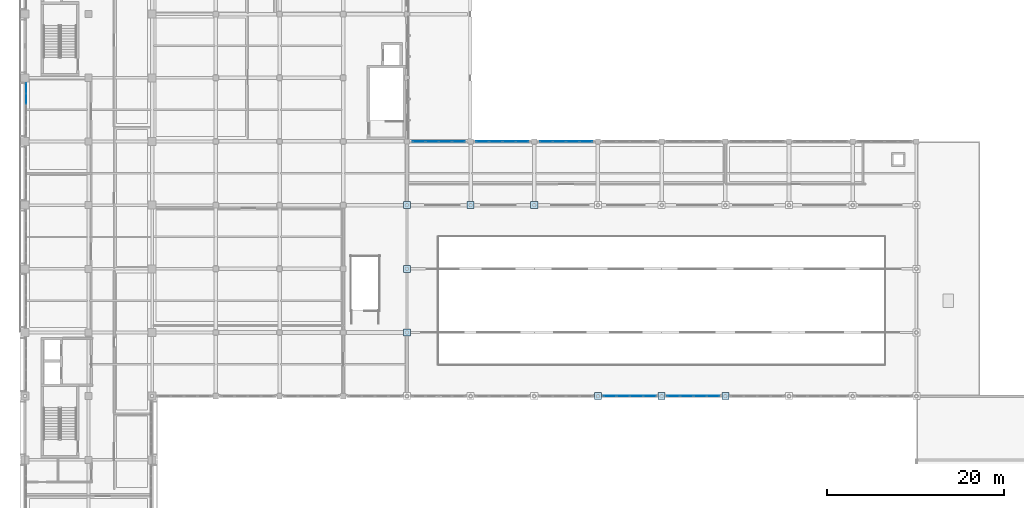
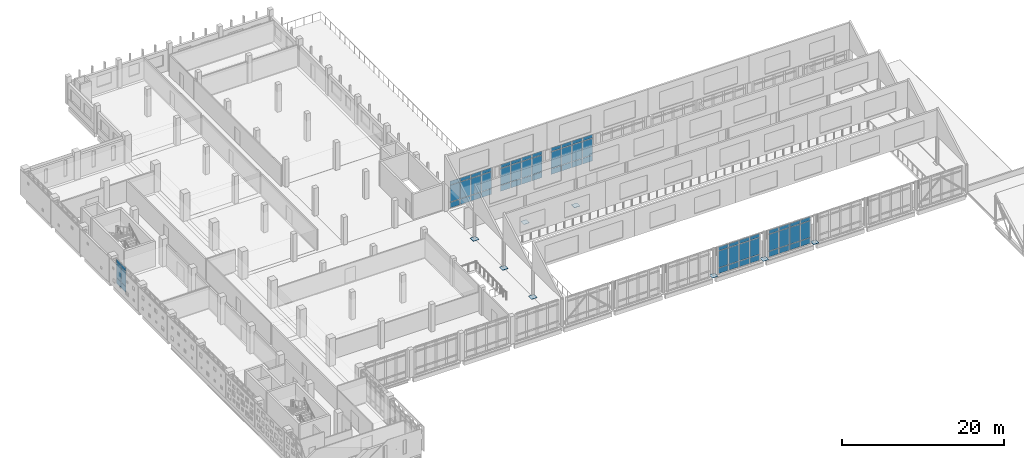
# One storey, part 31 of 62: 74 plates, 6 elements without a shape of their own.
"""IFC4 building model written with IfcOpenShell, lengths in metres."""

from ifc_helpers import new_model, si_unit, direction, frame, origin, origin_2d, place, context, subcontext, project, spatial, rectangle, extrude, material, layer, layer_set, type_object, element, aggregate, save


model = new_model("IFC4")

# Units and contexts
model_context = context("Model", 3, precision=1e-05, world=origin(), true_north=direction((0.0, 1.0)))
body_context = subcontext(model_context, "Body", "Model", "MODEL_VIEW")
ifc_project = project(units=[si_unit("LENGTHUNIT", "METRE"), si_unit("AREAUNIT", "SQUARE_METRE"), si_unit("VOLUMEUNIT", "CUBIC_METRE"), si_unit("PLANEANGLEUNIT", "RADIAN"), si_unit("MASSUNIT", "GRAM", prefix="KILO")], contexts=[model_context])

# Site, building, storey
site_placement = place(None, origin())
site = spatial("IfcSite", under=ifc_project, at=site_placement, CompositionType="ELEMENT")
building_placement = place(site_placement, origin())
building = spatial("IfcBuilding", under=site, at=building_placement, Name="Valkovuoma Quantum and Materials Research Institute", CompositionType="ELEMENT")
storey_placement = place(building_placement, frame((0.0, 0.0, 13.1201171875)))
storey = spatial("IfcBuildingStorey", under=building, at=storey_placement, Name="L03", CompositionType="ELEMENT", Elevation=13.1201171875)

# Curtain wall, plates
ifc_material_1 = material(Name="Thermally broken aluminium and triple low-E glazing", Category="aluminium")
ifc_layer_1 = layer(ifc_material_1, 0.219970703125)
ifc_layer_set_1 = layer_set([ifc_layer_1], Name="Thermally broken aluminium and triple low-E glazing")
curtain_wall_type_1 = type_object("IfcCurtainWallType", Name="CW-CW-01", PredefinedType="NOTDEFINED", material=ifc_layer_set_1)
curtain_wall_1_placement = place(storey_placement, origin())
curtain_wall_1 = element("IfcCurtainWall", 1, at=curtain_wall_1_placement, inside=storey, type_object=curtain_wall_type_1, Name="L03 curtain wall 035", PredefinedType="NOTDEFINED")
ifc_material_2 = material(Name="Triple low-E argon insulating glass", Category="glass")
ifc_layer_2 = layer(ifc_material_2, 0.035888671875)
ifc_layer_set_2 = layer_set([ifc_layer_2], Name="Triple low-E argon insulating glass")
plate_type_1 = type_object("IfcPlateType", Name="CWPanel-CWP-01", PredefinedType="CURTAIN_PANEL", material=ifc_layer_set_2)
plate_1_placement = place(storey_placement, frame((0.14990234375, 69.6171875, 0.06494140625), z_axis=(0.0, 0.0, 1.0), x_axis=(0.0, 1.0, 0.0)))
plate_1 = element("IfcPlate", 2, at=plate_1_placement, type_object=plate_type_1, Name="CW-01 panel 4.1", PredefinedType="CURTAIN_PANEL", context=body_context, shape_type="SweptSolid", body=[
    extrude(rectangle(XDim=1.152099609375, YDim=0.035888671875, at=origin_2d()), origin(), (0.0, 0.0, 1.0), 0.8525390625),
])
plate_2_placement = place(storey_placement, frame((0.14990234375, 69.6171875, 0.982421875), z_axis=(0.0, 0.0, 1.0), x_axis=(0.0, 1.0, 0.0)))
plate_2 = element("IfcPlate", 3, at=plate_2_placement, type_object=plate_type_1, Name="CW-01 panel 4.2", PredefinedType="CURTAIN_PANEL", context=body_context, shape_type="SweptSolid", body=[
    extrude(rectangle(XDim=1.152099609375, YDim=0.035888671875, at=origin_2d()), origin(), (0.0, 0.0, 1.0), 2.14501953125),
])
plate_3_placement = place(storey_placement, frame((0.14990234375, 69.6171875, 3.1923828125), z_axis=(0.0, 0.0, 1.0), x_axis=(0.0, 1.0, 0.0)))
plate_3 = element("IfcPlate", 4, at=plate_3_placement, type_object=plate_type_1, Name="CW-01 panel 4.3", PredefinedType="CURTAIN_PANEL", context=body_context, shape_type="SweptSolid", body=[
    extrude(rectangle(XDim=1.152099609375, YDim=0.035888671875, at=origin_2d()), origin(), (0.0, 0.0, 1.0), 0.552490234375),
])
plate_4_placement = place(storey_placement, frame((0.14990234375, 70.818115234375, 0.06494140625), z_axis=(0.0, 0.0, 1.0), x_axis=(0.0, 1.0, 0.0)))
plate_4 = element("IfcPlate", 5, at=plate_4_placement, type_object=plate_type_1, Name="CW-01 panel 5.1", PredefinedType="CURTAIN_PANEL", context=body_context, shape_type="SweptSolid", body=[
    extrude(rectangle(XDim=1.11962890625, YDim=0.035888671875, at=origin_2d()), origin(), (0.0, 0.0, 1.0), 0.8525390625),
])
plate_5_placement = place(storey_placement, frame((0.14990234375, 70.818115234375, 0.982421875), z_axis=(0.0, 0.0, 1.0), x_axis=(0.0, 1.0, 0.0)))
plate_5 = element("IfcPlate", 6, at=plate_5_placement, type_object=plate_type_1, Name="CW-01 panel 5.2", PredefinedType="CURTAIN_PANEL", context=body_context, shape_type="SweptSolid", body=[
    extrude(rectangle(XDim=1.11962890625, YDim=0.035888671875, at=origin_2d()), origin(), (0.0, 0.0, 1.0), 2.14501953125),
])
plate_6_placement = place(storey_placement, frame((0.14990234375, 70.818115234375, 3.1923828125), z_axis=(0.0, 0.0, 1.0), x_axis=(0.0, 1.0, 0.0)))
plate_6 = element("IfcPlate", 7, at=plate_6_placement, type_object=plate_type_1, Name="CW-01 panel 5.3", PredefinedType="CURTAIN_PANEL", context=body_context, shape_type="SweptSolid", body=[
    extrude(rectangle(XDim=1.11962890625, YDim=0.035888671875, at=origin_2d()), origin(), (0.0, 0.0, 1.0), 0.552490234375),
])
aggregate(curtain_wall_1, [plate_1, plate_2, plate_3, plate_4, plate_5, plate_6])

ifc_material_3 = material(Name="Thermally broken aluminium and triple low-E glazing", Category="aluminium")
ifc_layer_3 = layer(ifc_material_3, 0.219970703125)
ifc_layer_set_3 = layer_set([ifc_layer_3], Name="Thermally broken aluminium and triple low-E glazing")
curtain_wall_type_2 = type_object("IfcCurtainWallType", Name="CW-CW-02", PredefinedType="NOTDEFINED", material=ifc_layer_set_3)
curtain_wall_2_placement = place(storey_placement, origin())
curtain_wall_2 = element("IfcCurtainWall", 8, at=curtain_wall_2_placement, inside=storey, type_object=curtain_wall_type_2, Name="L03 curtain wall 211", PredefinedType="NOTDEFINED")
ifc_material_4 = material(Name="Triple low-E argon insulating glass", Category="glass")
ifc_layer_4 = layer(ifc_material_4, 0.0419921875)
ifc_layer_set_4 = layer_set([ifc_layer_4], Name="Triple low-E argon insulating glass")
plate_type_2 = type_object("IfcPlateType", Name="CWPanel-CWP-02", PredefinedType="CURTAIN_PANEL", material=ifc_layer_set_4)
plate_7_placement = place(storey_placement, frame((44.554931640625, 64.800048828125, 0.074951171875), z_axis=(0.0, 0.0, 1.0), x_axis=(1.0, 0.0, 0.0)))
plate_7 = element("IfcPlate", 9, at=plate_7_placement, type_object=plate_type_2, Name="CW-02 panel 1.1", PredefinedType="CURTAIN_PANEL", context=body_context, shape_type="SweptSolid", body=[
    extrude(rectangle(XDim=1.389892578125, YDim=0.0419921875, at=origin_2d()), origin(), (0.0, 0.0, 1.0), 0.83740234375),
])
plate_8_placement = place(storey_placement, frame((44.554931640625, 64.800048828125, 0.9873046875), z_axis=(0.0, 0.0, 1.0), x_axis=(1.0, 0.0, 0.0)))
plate_8 = element("IfcPlate", 10, at=plate_8_placement, type_object=plate_type_2, Name="CW-02 panel 1.2", PredefinedType="CURTAIN_PANEL", context=body_context, shape_type="SweptSolid", body=[
    extrude(rectangle(XDim=1.389892578125, YDim=0.0419921875, at=origin_2d()), origin(), (0.0, 0.0, 1.0), 2.485107421875),
])
plate_9_placement = place(storey_placement, frame((44.554931640625, 64.800048828125, 3.54736328125), z_axis=(0.0, 0.0, 1.0), x_axis=(1.0, 0.0, 0.0)))
plate_9 = element("IfcPlate", 11, at=plate_9_placement, type_object=plate_type_2, Name="CW-02 panel 1.3", PredefinedType="CURTAIN_PANEL", context=body_context, shape_type="SweptSolid", body=[
    extrude(rectangle(XDim=1.389892578125, YDim=0.0419921875, at=origin_2d()), origin(), (0.0, 0.0, 1.0), 0.53759765625),
])
plate_10_placement = place(storey_placement, frame((46.044921875, 64.800048828125, 0.074951171875), z_axis=(0.0, 0.0, 1.0), x_axis=(1.0, 0.0, 0.0)))
plate_10 = element("IfcPlate", 12, at=plate_10_placement, type_object=plate_type_2, Name="CW-02 panel 2.1", PredefinedType="CURTAIN_PANEL", context=body_context, shape_type="SweptSolid", body=[
    extrude(rectangle(XDim=1.429931640625, YDim=0.0419921875, at=origin_2d()), origin(), (0.0, 0.0, 1.0), 0.83740234375),
])
plate_11_placement = place(storey_placement, frame((46.044921875, 64.800048828125, 0.9873046875), z_axis=(0.0, 0.0, 1.0), x_axis=(1.0, 0.0, 0.0)))
plate_11 = element("IfcPlate", 13, at=plate_11_placement, type_object=plate_type_2, Name="CW-02 panel 2.2", PredefinedType="CURTAIN_PANEL", context=body_context, shape_type="SweptSolid", body=[
    extrude(rectangle(XDim=1.429931640625, YDim=0.0419921875, at=origin_2d()), origin(), (0.0, 0.0, 1.0), 2.485107421875),
])
plate_12_placement = place(storey_placement, frame((46.044921875, 64.800048828125, 3.54736328125), z_axis=(0.0, 0.0, 1.0), x_axis=(1.0, 0.0, 0.0)))
plate_12 = element("IfcPlate", 14, at=plate_12_placement, type_object=plate_type_2, Name="CW-02 panel 2.3", PredefinedType="CURTAIN_PANEL", context=body_context, shape_type="SweptSolid", body=[
    extrude(rectangle(XDim=1.429931640625, YDim=0.0419921875, at=origin_2d()), origin(), (0.0, 0.0, 1.0), 0.53759765625),
])
plate_13_placement = place(storey_placement, frame((47.554931640625, 64.800048828125, 0.074951171875), z_axis=(0.0, 0.0, 1.0), x_axis=(1.0, 0.0, 0.0)))
plate_13 = element("IfcPlate", 15, at=plate_13_placement, type_object=plate_type_2, Name="CW-02 panel 3.1", PredefinedType="CURTAIN_PANEL", context=body_context, shape_type="SweptSolid", body=[
    extrude(rectangle(XDim=1.429931640625, YDim=0.0419921875, at=origin_2d()), origin(), (0.0, 0.0, 1.0), 0.83740234375),
])
plate_14_placement = place(storey_placement, frame((47.554931640625, 64.800048828125, 0.9873046875), z_axis=(0.0, 0.0, 1.0), x_axis=(1.0, 0.0, 0.0)))
plate_14 = element("IfcPlate", 16, at=plate_14_placement, type_object=plate_type_2, Name="CW-02 panel 3.2", PredefinedType="CURTAIN_PANEL", context=body_context, shape_type="SweptSolid", body=[
    extrude(rectangle(XDim=1.429931640625, YDim=0.0419921875, at=origin_2d()), origin(), (0.0, 0.0, 1.0), 2.485107421875),
])
plate_15_placement = place(storey_placement, frame((47.554931640625, 64.800048828125, 3.54736328125), z_axis=(0.0, 0.0, 1.0), x_axis=(1.0, 0.0, 0.0)))
plate_15 = element("IfcPlate", 17, at=plate_15_placement, type_object=plate_type_2, Name="CW-02 panel 3.3", PredefinedType="CURTAIN_PANEL", context=body_context, shape_type="SweptSolid", body=[
    extrude(rectangle(XDim=1.429931640625, YDim=0.0419921875, at=origin_2d()), origin(), (0.0, 0.0, 1.0), 0.53759765625),
])
plate_16_placement = place(storey_placement, frame((49.044921875, 64.800048828125, 0.074951171875), z_axis=(0.0, 0.0, 1.0), x_axis=(1.0, 0.0, 0.0)))
plate_16 = element("IfcPlate", 18, at=plate_16_placement, type_object=plate_type_2, Name="CW-02 panel 4.1", PredefinedType="CURTAIN_PANEL", context=body_context, shape_type="SweptSolid", body=[
    extrude(rectangle(XDim=1.389892578125, YDim=0.0419921875, at=origin_2d()), origin(), (0.0, 0.0, 1.0), 0.83740234375),
])
plate_17_placement = place(storey_placement, frame((49.044921875, 64.800048828125, 0.9873046875), z_axis=(0.0, 0.0, 1.0), x_axis=(1.0, 0.0, 0.0)))
plate_17 = element("IfcPlate", 19, at=plate_17_placement, type_object=plate_type_2, Name="CW-02 panel 4.2", PredefinedType="CURTAIN_PANEL", context=body_context, shape_type="SweptSolid", body=[
    extrude(rectangle(XDim=1.389892578125, YDim=0.0419921875, at=origin_2d()), origin(), (0.0, 0.0, 1.0), 2.485107421875),
])
plate_18_placement = place(storey_placement, frame((49.044921875, 64.800048828125, 3.54736328125), z_axis=(0.0, 0.0, 1.0), x_axis=(1.0, 0.0, 0.0)))
plate_18 = element("IfcPlate", 20, at=plate_18_placement, type_object=plate_type_2, Name="CW-02 panel 4.3", PredefinedType="CURTAIN_PANEL", context=body_context, shape_type="SweptSolid", body=[
    extrude(rectangle(XDim=1.389892578125, YDim=0.0419921875, at=origin_2d()), origin(), (0.0, 0.0, 1.0), 0.53759765625),
])
aggregate(curtain_wall_2, [plate_7, plate_8, plate_9, plate_10, plate_11, plate_12, plate_13, plate_14, plate_15, plate_16, plate_17, plate_18])

curtain_wall_3_placement = place(storey_placement, origin())
curtain_wall_3 = element("IfcCurtainWall", 21, at=curtain_wall_3_placement, inside=storey, type_object=curtain_wall_type_2, Name="L03 curtain wall 212", PredefinedType="NOTDEFINED")
plate_19_placement = place(storey_placement, frame((51.7548828125, 64.800048828125, 0.074951171875), z_axis=(0.0, 0.0, 1.0), x_axis=(1.0, 0.0, 0.0)))
plate_19 = element("IfcPlate", 22, at=plate_19_placement, type_object=plate_type_2, Name="CW-02 panel 1.1", PredefinedType="CURTAIN_PANEL", context=body_context, shape_type="SweptSolid", body=[
    extrude(rectangle(XDim=1.389892578125, YDim=0.0419921875, at=origin_2d()), origin(), (0.0, 0.0, 1.0), 0.83740234375),
])
plate_20_placement = place(storey_placement, frame((51.7548828125, 64.800048828125, 0.9873046875), z_axis=(0.0, 0.0, 1.0), x_axis=(1.0, 0.0, 0.0)))
plate_20 = element("IfcPlate", 23, at=plate_20_placement, type_object=plate_type_2, Name="CW-02 panel 1.2", PredefinedType="CURTAIN_PANEL", context=body_context, shape_type="SweptSolid", body=[
    extrude(rectangle(XDim=1.389892578125, YDim=0.0419921875, at=origin_2d()), origin(), (0.0, 0.0, 1.0), 2.485107421875),
])
plate_21_placement = place(storey_placement, frame((51.7548828125, 64.800048828125, 3.54736328125), z_axis=(0.0, 0.0, 1.0), x_axis=(1.0, 0.0, 0.0)))
plate_21 = element("IfcPlate", 24, at=plate_21_placement, type_object=plate_type_2, Name="CW-02 panel 1.3", PredefinedType="CURTAIN_PANEL", context=body_context, shape_type="SweptSolid", body=[
    extrude(rectangle(XDim=1.389892578125, YDim=0.0419921875, at=origin_2d()), origin(), (0.0, 0.0, 1.0), 0.53759765625),
])
plate_22_placement = place(storey_placement, frame((53.2451171875, 64.800048828125, 0.074951171875), z_axis=(0.0, 0.0, 1.0), x_axis=(1.0, 0.0, 0.0)))
plate_22 = element("IfcPlate", 25, at=plate_22_placement, type_object=plate_type_2, Name="CW-02 panel 2.1", PredefinedType="CURTAIN_PANEL", context=body_context, shape_type="SweptSolid", body=[
    extrude(rectangle(XDim=1.429931640625, YDim=0.0419921875, at=origin_2d()), origin(), (0.0, 0.0, 1.0), 0.83740234375),
])
plate_23_placement = place(storey_placement, frame((53.2451171875, 64.800048828125, 0.9873046875), z_axis=(0.0, 0.0, 1.0), x_axis=(1.0, 0.0, 0.0)))
plate_23 = element("IfcPlate", 26, at=plate_23_placement, type_object=plate_type_2, Name="CW-02 panel 2.2", PredefinedType="CURTAIN_PANEL", context=body_context, shape_type="SweptSolid", body=[
    extrude(rectangle(XDim=1.429931640625, YDim=0.0419921875, at=origin_2d()), origin(), (0.0, 0.0, 1.0), 2.485107421875),
])
plate_24_placement = place(storey_placement, frame((53.2451171875, 64.800048828125, 3.54736328125), z_axis=(0.0, 0.0, 1.0), x_axis=(1.0, 0.0, 0.0)))
plate_24 = element("IfcPlate", 27, at=plate_24_placement, type_object=plate_type_2, Name="CW-02 panel 2.3", PredefinedType="CURTAIN_PANEL", context=body_context, shape_type="SweptSolid", body=[
    extrude(rectangle(XDim=1.429931640625, YDim=0.0419921875, at=origin_2d()), origin(), (0.0, 0.0, 1.0), 0.53759765625),
])
plate_25_placement = place(storey_placement, frame((54.7548828125, 64.800048828125, 0.074951171875), z_axis=(0.0, 0.0, 1.0), x_axis=(1.0, 0.0, 0.0)))
plate_25 = element("IfcPlate", 28, at=plate_25_placement, type_object=plate_type_2, Name="CW-02 panel 3.1", PredefinedType="CURTAIN_PANEL", context=body_context, shape_type="SweptSolid", body=[
    extrude(rectangle(XDim=1.429931640625, YDim=0.0419921875, at=origin_2d()), origin(), (0.0, 0.0, 1.0), 0.83740234375),
])
plate_26_placement = place(storey_placement, frame((54.7548828125, 64.800048828125, 0.9873046875), z_axis=(0.0, 0.0, 1.0), x_axis=(1.0, 0.0, 0.0)))
plate_26 = element("IfcPlate", 29, at=plate_26_placement, type_object=plate_type_2, Name="CW-02 panel 3.2", PredefinedType="CURTAIN_PANEL", context=body_context, shape_type="SweptSolid", body=[
    extrude(rectangle(XDim=1.429931640625, YDim=0.0419921875, at=origin_2d()), origin(), (0.0, 0.0, 1.0), 2.485107421875),
])
plate_27_placement = place(storey_placement, frame((54.7548828125, 64.800048828125, 3.54736328125), z_axis=(0.0, 0.0, 1.0), x_axis=(1.0, 0.0, 0.0)))
plate_27 = element("IfcPlate", 30, at=plate_27_placement, type_object=plate_type_2, Name="CW-02 panel 3.3", PredefinedType="CURTAIN_PANEL", context=body_context, shape_type="SweptSolid", body=[
    extrude(rectangle(XDim=1.429931640625, YDim=0.0419921875, at=origin_2d()), origin(), (0.0, 0.0, 1.0), 0.53759765625),
])
plate_28_placement = place(storey_placement, frame((56.2451171875, 64.800048828125, 0.074951171875), z_axis=(0.0, 0.0, 1.0), x_axis=(1.0, 0.0, 0.0)))
plate_28 = element("IfcPlate", 31, at=plate_28_placement, type_object=plate_type_2, Name="CW-02 panel 4.1", PredefinedType="CURTAIN_PANEL", context=body_context, shape_type="SweptSolid", body=[
    extrude(rectangle(XDim=1.389892578125, YDim=0.0419921875, at=origin_2d()), origin(), (0.0, 0.0, 1.0), 0.83740234375),
])
plate_29_placement = place(storey_placement, frame((56.2451171875, 64.800048828125, 0.9873046875), z_axis=(0.0, 0.0, 1.0), x_axis=(1.0, 0.0, 0.0)))
plate_29 = element("IfcPlate", 32, at=plate_29_placement, type_object=plate_type_2, Name="CW-02 panel 4.2", PredefinedType="CURTAIN_PANEL", context=body_context, shape_type="SweptSolid", body=[
    extrude(rectangle(XDim=1.389892578125, YDim=0.0419921875, at=origin_2d()), origin(), (0.0, 0.0, 1.0), 2.485107421875),
])
plate_30_placement = place(storey_placement, frame((56.2451171875, 64.800048828125, 3.54736328125), z_axis=(0.0, 0.0, 1.0), x_axis=(1.0, 0.0, 0.0)))
plate_30 = element("IfcPlate", 33, at=plate_30_placement, type_object=plate_type_2, Name="CW-02 panel 4.3", PredefinedType="CURTAIN_PANEL", context=body_context, shape_type="SweptSolid", body=[
    extrude(rectangle(XDim=1.389892578125, YDim=0.0419921875, at=origin_2d()), origin(), (0.0, 0.0, 1.0), 0.53759765625),
])
aggregate(curtain_wall_3, [plate_19, plate_20, plate_21, plate_22, plate_23, plate_24, plate_25, plate_26, plate_27, plate_28, plate_29, plate_30])

curtain_wall_4_placement = place(storey_placement, origin())
curtain_wall_4 = element("IfcCurtainWall", 34, at=curtain_wall_4_placement, inside=storey, type_object=curtain_wall_type_2, Name="L03 curtain wall 213", PredefinedType="NOTDEFINED")
plate_31_placement = place(storey_placement, frame((58.955078125, 64.800048828125, 0.074951171875), z_axis=(0.0, 0.0, 1.0), x_axis=(1.0, 0.0, 0.0)))
plate_31 = element("IfcPlate", 35, at=plate_31_placement, type_object=plate_type_2, Name="CW-02 panel 1.1", PredefinedType="CURTAIN_PANEL", context=body_context, shape_type="SweptSolid", body=[
    extrude(rectangle(XDim=1.389892578125, YDim=0.0419921875, at=origin_2d()), origin(), (0.0, 0.0, 1.0), 0.83740234375),
])
plate_32_placement = place(storey_placement, frame((58.955078125, 64.800048828125, 0.9873046875), z_axis=(0.0, 0.0, 1.0), x_axis=(1.0, 0.0, 0.0)))
plate_32 = element("IfcPlate", 36, at=plate_32_placement, type_object=plate_type_2, Name="CW-02 panel 1.2", PredefinedType="CURTAIN_PANEL", context=body_context, shape_type="SweptSolid", body=[
    extrude(rectangle(XDim=1.389892578125, YDim=0.0419921875, at=origin_2d()), origin(), (0.0, 0.0, 1.0), 2.485107421875),
])
plate_33_placement = place(storey_placement, frame((58.955078125, 64.800048828125, 3.54736328125), z_axis=(0.0, 0.0, 1.0), x_axis=(1.0, 0.0, 0.0)))
plate_33 = element("IfcPlate", 37, at=plate_33_placement, type_object=plate_type_2, Name="CW-02 panel 1.3", PredefinedType="CURTAIN_PANEL", context=body_context, shape_type="SweptSolid", body=[
    extrude(rectangle(XDim=1.389892578125, YDim=0.0419921875, at=origin_2d()), origin(), (0.0, 0.0, 1.0), 0.53759765625),
])
plate_34_placement = place(storey_placement, frame((60.445068359375, 64.800048828125, 0.074951171875), z_axis=(0.0, 0.0, 1.0), x_axis=(1.0, 0.0, 0.0)))
plate_34 = element("IfcPlate", 38, at=plate_34_placement, type_object=plate_type_2, Name="CW-02 panel 2.1", PredefinedType="CURTAIN_PANEL", context=body_context, shape_type="SweptSolid", body=[
    extrude(rectangle(XDim=1.429931640625, YDim=0.0419921875, at=origin_2d()), origin(), (0.0, 0.0, 1.0), 0.83740234375),
])
plate_35_placement = place(storey_placement, frame((60.445068359375, 64.800048828125, 0.9873046875), z_axis=(0.0, 0.0, 1.0), x_axis=(1.0, 0.0, 0.0)))
plate_35 = element("IfcPlate", 39, at=plate_35_placement, type_object=plate_type_2, Name="CW-02 panel 2.2", PredefinedType="CURTAIN_PANEL", context=body_context, shape_type="SweptSolid", body=[
    extrude(rectangle(XDim=1.429931640625, YDim=0.0419921875, at=origin_2d()), origin(), (0.0, 0.0, 1.0), 2.485107421875),
])
plate_36_placement = place(storey_placement, frame((60.445068359375, 64.800048828125, 3.54736328125), z_axis=(0.0, 0.0, 1.0), x_axis=(1.0, 0.0, 0.0)))
plate_36 = element("IfcPlate", 40, at=plate_36_placement, type_object=plate_type_2, Name="CW-02 panel 2.3", PredefinedType="CURTAIN_PANEL", context=body_context, shape_type="SweptSolid", body=[
    extrude(rectangle(XDim=1.429931640625, YDim=0.0419921875, at=origin_2d()), origin(), (0.0, 0.0, 1.0), 0.53759765625),
])
plate_37_placement = place(storey_placement, frame((61.955078125, 64.800048828125, 0.074951171875), z_axis=(0.0, 0.0, 1.0), x_axis=(1.0, 0.0, 0.0)))
plate_37 = element("IfcPlate", 41, at=plate_37_placement, type_object=plate_type_2, Name="CW-02 panel 3.1", PredefinedType="CURTAIN_PANEL", context=body_context, shape_type="SweptSolid", body=[
    extrude(rectangle(XDim=1.429931640625, YDim=0.0419921875, at=origin_2d()), origin(), (0.0, 0.0, 1.0), 0.83740234375),
])
plate_38_placement = place(storey_placement, frame((61.955078125, 64.800048828125, 0.9873046875), z_axis=(0.0, 0.0, 1.0), x_axis=(1.0, 0.0, 0.0)))
plate_38 = element("IfcPlate", 42, at=plate_38_placement, type_object=plate_type_2, Name="CW-02 panel 3.2", PredefinedType="CURTAIN_PANEL", context=body_context, shape_type="SweptSolid", body=[
    extrude(rectangle(XDim=1.429931640625, YDim=0.0419921875, at=origin_2d()), origin(), (0.0, 0.0, 1.0), 2.485107421875),
])
plate_39_placement = place(storey_placement, frame((61.955078125, 64.800048828125, 3.54736328125), z_axis=(0.0, 0.0, 1.0), x_axis=(1.0, 0.0, 0.0)))
plate_39 = element("IfcPlate", 43, at=plate_39_placement, type_object=plate_type_2, Name="CW-02 panel 3.3", PredefinedType="CURTAIN_PANEL", context=body_context, shape_type="SweptSolid", body=[
    extrude(rectangle(XDim=1.429931640625, YDim=0.0419921875, at=origin_2d()), origin(), (0.0, 0.0, 1.0), 0.53759765625),
])
plate_40_placement = place(storey_placement, frame((63.445068359375, 64.800048828125, 0.074951171875), z_axis=(0.0, 0.0, 1.0), x_axis=(1.0, 0.0, 0.0)))
plate_40 = element("IfcPlate", 44, at=plate_40_placement, type_object=plate_type_2, Name="CW-02 panel 4.1", PredefinedType="CURTAIN_PANEL", context=body_context, shape_type="SweptSolid", body=[
    extrude(rectangle(XDim=1.389892578125, YDim=0.0419921875, at=origin_2d()), origin(), (0.0, 0.0, 1.0), 0.83740234375),
])
plate_41_placement = place(storey_placement, frame((63.445068359375, 64.800048828125, 0.9873046875), z_axis=(0.0, 0.0, 1.0), x_axis=(1.0, 0.0, 0.0)))
plate_41 = element("IfcPlate", 45, at=plate_41_placement, type_object=plate_type_2, Name="CW-02 panel 4.2", PredefinedType="CURTAIN_PANEL", context=body_context, shape_type="SweptSolid", body=[
    extrude(rectangle(XDim=1.389892578125, YDim=0.0419921875, at=origin_2d()), origin(), (0.0, 0.0, 1.0), 2.485107421875),
])
plate_42_placement = place(storey_placement, frame((63.445068359375, 64.800048828125, 3.54736328125), z_axis=(0.0, 0.0, 1.0), x_axis=(1.0, 0.0, 0.0)))
plate_42 = element("IfcPlate", 46, at=plate_42_placement, type_object=plate_type_2, Name="CW-02 panel 4.3", PredefinedType="CURTAIN_PANEL", context=body_context, shape_type="SweptSolid", body=[
    extrude(rectangle(XDim=1.389892578125, YDim=0.0419921875, at=origin_2d()), origin(), (0.0, 0.0, 1.0), 0.53759765625),
])
aggregate(curtain_wall_4, [plate_31, plate_32, plate_33, plate_34, plate_35, plate_36, plate_37, plate_38, plate_39, plate_40, plate_41, plate_42])

curtain_wall_5_placement = place(storey_placement, origin())
curtain_wall_5 = element("IfcCurtainWall", 47, at=curtain_wall_5_placement, inside=storey, type_object=curtain_wall_type_2, Name="L03 curtain wall 206", PredefinedType="NOTDEFINED")
ifc_material_5 = material(Name="Triple low-E argon insulating glass", Category="glass")
ifc_layer_5 = layer(ifc_material_5, 0.048095703125)
ifc_layer_set_5 = layer_set([ifc_layer_5], Name="Triple low-E argon insulating glass")
plate_type_3 = type_object("IfcPlateType", Name="CWPanel-CWP-03", PredefinedType="CURTAIN_PANEL", material=ifc_layer_set_5)
plate_43_placement = place(storey_placement, frame((66.155029296875, 36.0, 0.074951171875), z_axis=(0.0, 0.0, 1.0), x_axis=(1.0, 0.0, 0.0)))
plate_43 = element("IfcPlate", 48, at=plate_43_placement, type_object=plate_type_3, Name="CW-02 panel 1.1", PredefinedType="CURTAIN_PANEL", context=body_context, shape_type="SweptSolid", body=[
    extrude(rectangle(XDim=1.389892578125, YDim=0.048095703125, at=origin_2d()), origin(), (0.0, 0.0, 1.0), 0.83740234375),
])
plate_44_placement = place(storey_placement, frame((66.155029296875, 36.0, 0.9873046875), z_axis=(0.0, 0.0, 1.0), x_axis=(1.0, 0.0, 0.0)))
plate_44 = element("IfcPlate", 49, at=plate_44_placement, type_object=plate_type_3, Name="CW-02 panel 1.2", PredefinedType="CURTAIN_PANEL", context=body_context, shape_type="SweptSolid", body=[
    extrude(rectangle(XDim=1.389892578125, YDim=0.048095703125, at=origin_2d()), origin(), (0.0, 0.0, 1.0), 2.485107421875),
])
plate_45_placement = place(storey_placement, frame((66.155029296875, 36.0, 3.54736328125), z_axis=(0.0, 0.0, 1.0), x_axis=(1.0, 0.0, 0.0)))
plate_45 = element("IfcPlate", 50, at=plate_45_placement, type_object=plate_type_3, Name="CW-02 panel 1.3", PredefinedType="CURTAIN_PANEL", context=body_context, shape_type="SweptSolid", body=[
    extrude(rectangle(XDim=1.389892578125, YDim=0.048095703125, at=origin_2d()), origin(), (0.0, 0.0, 1.0), 0.53759765625),
])
plate_46_placement = place(storey_placement, frame((67.64501953125, 36.0, 0.074951171875), z_axis=(0.0, 0.0, 1.0), x_axis=(1.0, 0.0, 0.0)))
plate_46 = element("IfcPlate", 51, at=plate_46_placement, type_object=plate_type_3, Name="CW-02 panel 2.1", PredefinedType="CURTAIN_PANEL", context=body_context, shape_type="SweptSolid", body=[
    extrude(rectangle(XDim=1.429931640625, YDim=0.048095703125, at=origin_2d()), origin(), (0.0, 0.0, 1.0), 0.83740234375),
])
plate_47_placement = place(storey_placement, frame((67.64501953125, 36.0, 0.9873046875), z_axis=(0.0, 0.0, 1.0), x_axis=(1.0, 0.0, 0.0)))
plate_47 = element("IfcPlate", 52, at=plate_47_placement, type_object=plate_type_3, Name="CW-02 panel 2.2", PredefinedType="CURTAIN_PANEL", context=body_context, shape_type="SweptSolid", body=[
    extrude(rectangle(XDim=1.429931640625, YDim=0.048095703125, at=origin_2d()), origin(), (0.0, 0.0, 1.0), 2.485107421875),
])
plate_48_placement = place(storey_placement, frame((67.64501953125, 36.0, 3.54736328125), z_axis=(0.0, 0.0, 1.0), x_axis=(1.0, 0.0, 0.0)))
plate_48 = element("IfcPlate", 53, at=plate_48_placement, type_object=plate_type_3, Name="CW-02 panel 2.3", PredefinedType="CURTAIN_PANEL", context=body_context, shape_type="SweptSolid", body=[
    extrude(rectangle(XDim=1.429931640625, YDim=0.048095703125, at=origin_2d()), origin(), (0.0, 0.0, 1.0), 0.53759765625),
])
plate_49_placement = place(storey_placement, frame((69.155029296875, 36.0, 0.074951171875), z_axis=(0.0, 0.0, 1.0), x_axis=(1.0, 0.0, 0.0)))
plate_49 = element("IfcPlate", 54, at=plate_49_placement, type_object=plate_type_3, Name="CW-02 panel 3.1", PredefinedType="CURTAIN_PANEL", context=body_context, shape_type="SweptSolid", body=[
    extrude(rectangle(XDim=1.429931640625, YDim=0.048095703125, at=origin_2d()), origin(), (0.0, 0.0, 1.0), 0.83740234375),
])
plate_50_placement = place(storey_placement, frame((69.155029296875, 36.0, 0.9873046875), z_axis=(0.0, 0.0, 1.0), x_axis=(1.0, 0.0, 0.0)))
plate_50 = element("IfcPlate", 55, at=plate_50_placement, type_object=plate_type_3, Name="CW-02 panel 3.2", PredefinedType="CURTAIN_PANEL", context=body_context, shape_type="SweptSolid", body=[
    extrude(rectangle(XDim=1.429931640625, YDim=0.048095703125, at=origin_2d()), origin(), (0.0, 0.0, 1.0), 2.485107421875),
])
plate_51_placement = place(storey_placement, frame((69.155029296875, 36.0, 3.54736328125), z_axis=(0.0, 0.0, 1.0), x_axis=(1.0, 0.0, 0.0)))
plate_51 = element("IfcPlate", 56, at=plate_51_placement, type_object=plate_type_3, Name="CW-02 panel 3.3", PredefinedType="CURTAIN_PANEL", context=body_context, shape_type="SweptSolid", body=[
    extrude(rectangle(XDim=1.429931640625, YDim=0.048095703125, at=origin_2d()), origin(), (0.0, 0.0, 1.0), 0.53759765625),
])
plate_52_placement = place(storey_placement, frame((70.64501953125, 36.0, 0.074951171875), z_axis=(0.0, 0.0, 1.0), x_axis=(1.0, 0.0, 0.0)))
plate_52 = element("IfcPlate", 57, at=plate_52_placement, type_object=plate_type_3, Name="CW-02 panel 4.1", PredefinedType="CURTAIN_PANEL", context=body_context, shape_type="SweptSolid", body=[
    extrude(rectangle(XDim=1.389892578125, YDim=0.048095703125, at=origin_2d()), origin(), (0.0, 0.0, 1.0), 0.83740234375),
])
plate_53_placement = place(storey_placement, frame((70.64501953125, 36.0, 0.9873046875), z_axis=(0.0, 0.0, 1.0), x_axis=(1.0, 0.0, 0.0)))
plate_53 = element("IfcPlate", 58, at=plate_53_placement, type_object=plate_type_3, Name="CW-02 panel 4.2", PredefinedType="CURTAIN_PANEL", context=body_context, shape_type="SweptSolid", body=[
    extrude(rectangle(XDim=1.389892578125, YDim=0.048095703125, at=origin_2d()), origin(), (0.0, 0.0, 1.0), 2.485107421875),
])
plate_54_placement = place(storey_placement, frame((70.64501953125, 36.0, 3.54736328125), z_axis=(0.0, 0.0, 1.0), x_axis=(1.0, 0.0, 0.0)))
plate_54 = element("IfcPlate", 59, at=plate_54_placement, type_object=plate_type_3, Name="CW-02 panel 4.3", PredefinedType="CURTAIN_PANEL", context=body_context, shape_type="SweptSolid", body=[
    extrude(rectangle(XDim=1.389892578125, YDim=0.048095703125, at=origin_2d()), origin(), (0.0, 0.0, 1.0), 0.53759765625),
])
aggregate(curtain_wall_5, [plate_43, plate_44, plate_45, plate_46, plate_47, plate_48, plate_49, plate_50, plate_51, plate_52, plate_53, plate_54])

curtain_wall_6_placement = place(storey_placement, origin())
curtain_wall_6 = element("IfcCurtainWall", 60, at=curtain_wall_6_placement, inside=storey, type_object=curtain_wall_type_2, Name="L03 curtain wall 207", PredefinedType="NOTDEFINED")
plate_55_placement = place(storey_placement, frame((73.35498046875, 36.0, 0.074951171875), z_axis=(0.0, 0.0, 1.0), x_axis=(1.0, 0.0, 0.0)))
plate_55 = element("IfcPlate", 61, at=plate_55_placement, type_object=plate_type_3, Name="CW-02 panel 1.1", PredefinedType="CURTAIN_PANEL", context=body_context, shape_type="SweptSolid", body=[
    extrude(rectangle(XDim=1.389892578125, YDim=0.048095703125, at=origin_2d()), origin(), (0.0, 0.0, 1.0), 0.83740234375),
])
plate_56_placement = place(storey_placement, frame((73.35498046875, 36.0, 0.9873046875), z_axis=(0.0, 0.0, 1.0), x_axis=(1.0, 0.0, 0.0)))
plate_56 = element("IfcPlate", 62, at=plate_56_placement, type_object=plate_type_3, Name="CW-02 panel 1.2", PredefinedType="CURTAIN_PANEL", context=body_context, shape_type="SweptSolid", body=[
    extrude(rectangle(XDim=1.389892578125, YDim=0.048095703125, at=origin_2d()), origin(), (0.0, 0.0, 1.0), 2.485107421875),
])
plate_57_placement = place(storey_placement, frame((73.35498046875, 36.0, 3.54736328125), z_axis=(0.0, 0.0, 1.0), x_axis=(1.0, 0.0, 0.0)))
plate_57 = element("IfcPlate", 63, at=plate_57_placement, type_object=plate_type_3, Name="CW-02 panel 1.3", PredefinedType="CURTAIN_PANEL", context=body_context, shape_type="SweptSolid", body=[
    extrude(rectangle(XDim=1.389892578125, YDim=0.048095703125, at=origin_2d()), origin(), (0.0, 0.0, 1.0), 0.53759765625),
])
plate_58_placement = place(storey_placement, frame((74.844970703125, 36.0, 0.074951171875), z_axis=(0.0, 0.0, 1.0), x_axis=(1.0, 0.0, 0.0)))
plate_58 = element("IfcPlate", 64, at=plate_58_placement, type_object=plate_type_3, Name="CW-02 panel 2.1", PredefinedType="CURTAIN_PANEL", context=body_context, shape_type="SweptSolid", body=[
    extrude(rectangle(XDim=1.429931640625, YDim=0.048095703125, at=origin_2d()), origin(), (0.0, 0.0, 1.0), 0.83740234375),
])
plate_59_placement = place(storey_placement, frame((74.844970703125, 36.0, 0.9873046875), z_axis=(0.0, 0.0, 1.0), x_axis=(1.0, 0.0, 0.0)))
plate_59 = element("IfcPlate", 65, at=plate_59_placement, type_object=plate_type_3, Name="CW-02 panel 2.2", PredefinedType="CURTAIN_PANEL", context=body_context, shape_type="SweptSolid", body=[
    extrude(rectangle(XDim=1.429931640625, YDim=0.048095703125, at=origin_2d()), origin(), (0.0, 0.0, 1.0), 2.485107421875),
])
plate_60_placement = place(storey_placement, frame((74.844970703125, 36.0, 3.54736328125), z_axis=(0.0, 0.0, 1.0), x_axis=(1.0, 0.0, 0.0)))
plate_60 = element("IfcPlate", 66, at=plate_60_placement, type_object=plate_type_3, Name="CW-02 panel 2.3", PredefinedType="CURTAIN_PANEL", context=body_context, shape_type="SweptSolid", body=[
    extrude(rectangle(XDim=1.429931640625, YDim=0.048095703125, at=origin_2d()), origin(), (0.0, 0.0, 1.0), 0.53759765625),
])
plate_61_placement = place(storey_placement, frame((76.35498046875, 36.0, 0.074951171875), z_axis=(0.0, 0.0, 1.0), x_axis=(1.0, 0.0, 0.0)))
plate_61 = element("IfcPlate", 67, at=plate_61_placement, type_object=plate_type_3, Name="CW-02 panel 3.1", PredefinedType="CURTAIN_PANEL", context=body_context, shape_type="SweptSolid", body=[
    extrude(rectangle(XDim=1.429931640625, YDim=0.048095703125, at=origin_2d()), origin(), (0.0, 0.0, 1.0), 0.83740234375),
])
plate_62_placement = place(storey_placement, frame((76.35498046875, 36.0, 0.9873046875), z_axis=(0.0, 0.0, 1.0), x_axis=(1.0, 0.0, 0.0)))
plate_62 = element("IfcPlate", 68, at=plate_62_placement, type_object=plate_type_3, Name="CW-02 panel 3.2", PredefinedType="CURTAIN_PANEL", context=body_context, shape_type="SweptSolid", body=[
    extrude(rectangle(XDim=1.429931640625, YDim=0.048095703125, at=origin_2d()), origin(), (0.0, 0.0, 1.0), 2.485107421875),
])
plate_63_placement = place(storey_placement, frame((76.35498046875, 36.0, 3.54736328125), z_axis=(0.0, 0.0, 1.0), x_axis=(1.0, 0.0, 0.0)))
plate_63 = element("IfcPlate", 69, at=plate_63_placement, type_object=plate_type_3, Name="CW-02 panel 3.3", PredefinedType="CURTAIN_PANEL", context=body_context, shape_type="SweptSolid", body=[
    extrude(rectangle(XDim=1.429931640625, YDim=0.048095703125, at=origin_2d()), origin(), (0.0, 0.0, 1.0), 0.53759765625),
])
plate_64_placement = place(storey_placement, frame((77.844970703125, 36.0, 0.074951171875), z_axis=(0.0, 0.0, 1.0), x_axis=(1.0, 0.0, 0.0)))
plate_64 = element("IfcPlate", 70, at=plate_64_placement, type_object=plate_type_3, Name="CW-02 panel 4.1", PredefinedType="CURTAIN_PANEL", context=body_context, shape_type="SweptSolid", body=[
    extrude(rectangle(XDim=1.389892578125, YDim=0.048095703125, at=origin_2d()), origin(), (0.0, 0.0, 1.0), 0.83740234375),
])
plate_65_placement = place(storey_placement, frame((77.844970703125, 36.0, 0.9873046875), z_axis=(0.0, 0.0, 1.0), x_axis=(1.0, 0.0, 0.0)))
plate_65 = element("IfcPlate", 71, at=plate_65_placement, type_object=plate_type_3, Name="CW-02 panel 4.2", PredefinedType="CURTAIN_PANEL", context=body_context, shape_type="SweptSolid", body=[
    extrude(rectangle(XDim=1.389892578125, YDim=0.048095703125, at=origin_2d()), origin(), (0.0, 0.0, 1.0), 2.485107421875),
])
plate_66_placement = place(storey_placement, frame((77.844970703125, 36.0, 3.54736328125), z_axis=(0.0, 0.0, 1.0), x_axis=(1.0, 0.0, 0.0)))
plate_66 = element("IfcPlate", 72, at=plate_66_placement, type_object=plate_type_3, Name="CW-02 panel 4.3", PredefinedType="CURTAIN_PANEL", context=body_context, shape_type="SweptSolid", body=[
    extrude(rectangle(XDim=1.389892578125, YDim=0.048095703125, at=origin_2d()), origin(), (0.0, 0.0, 1.0), 0.53759765625),
])
aggregate(curtain_wall_6, [plate_55, plate_56, plate_57, plate_58, plate_59, plate_60, plate_61, plate_62, plate_63, plate_64, plate_65, plate_66])

# Plates
ifc_material_6 = material(Name="Steel S355J2", Category="steel")
plate_type_4 = type_object("IfcPlateType", Name="Plate-PL-BAS2", PredefinedType="USERDEFINED", material=ifc_material_6)
for number, where, z_axis, x_axis, name in (
    (73, (43.199951171875, 43.199951171875, 0.0), (0.0, 0.0, 1.0), (1.0, 0.0, 0.0), "L03 base plate 07G"),
    (74, (43.199951171875, 50.39990234375, 0.0), (0.0, 0.0, 1.0), (1.0, 0.0, 0.0), "L03 base plate 07H"),
    (75, (43.199951171875, 57.60009765625, 0.0), (0.0, 0.0, 1.0), (1.0, 0.0, 0.0), "L03 base plate 07J"),
    (76, (50.39990234375, 57.60009765625, 0.0), (0.0, 0.0, 1.0), (1.0, 0.0, 0.0), "L03 base plate 08J"),
    (77, (57.60009765625, 57.60009765625, 0.0), (0.0, 0.0, 1.0), (1.0, 0.0, 0.0), "L03 base plate 09J"),
    (78, (64.800048828125, 36.0, 0.0), (0.0, 0.0, 1.0), (1.0, 0.0, 0.0), "L03 base plate 10F"),
    (79, (72.0, 36.0, 0.0), (0.0, 0.0, 1.0), (1.0, 0.0, 0.0), "L03 base plate 11F"),
    (80, (79.199951171875, 36.0, 0.0), (0.0, 0.0, 1.0), (1.0, 0.0, 0.0), "L03 base plate 12F"),
):
    element("IfcPlate", number, at=place(storey_placement, frame(where, z_axis=z_axis, x_axis=x_axis)), inside=storey, type_object=plate_type_4, Name=name, ObjectType="BASE_PLATE", PredefinedType="USERDEFINED", context=body_context, shape_type="SweptSolid", body=[
        extrude(rectangle(XDim=0.800048828125, YDim=0.800048828125, at=origin_2d()), origin(), (0.0, 0.0, 1.0), 0.030029296875),
    ])

save(model, "model.ifc")
